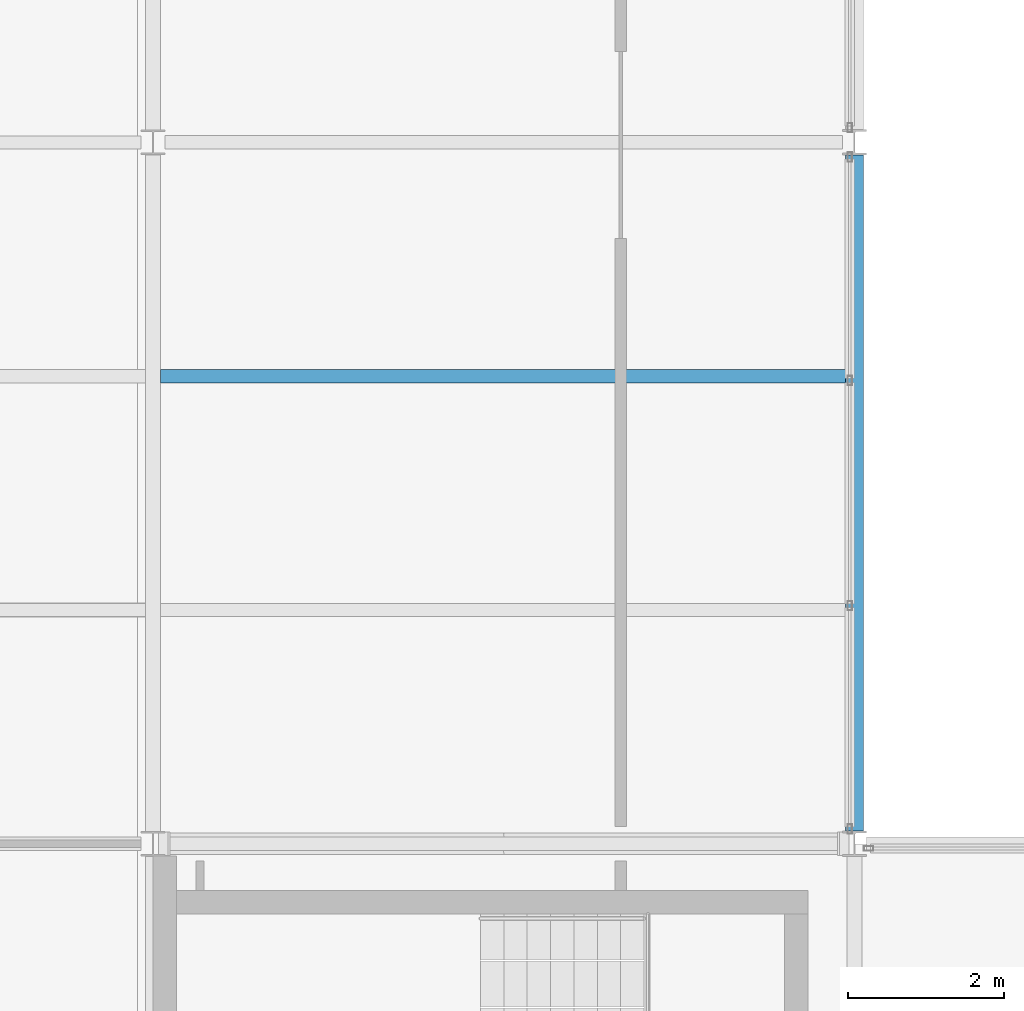
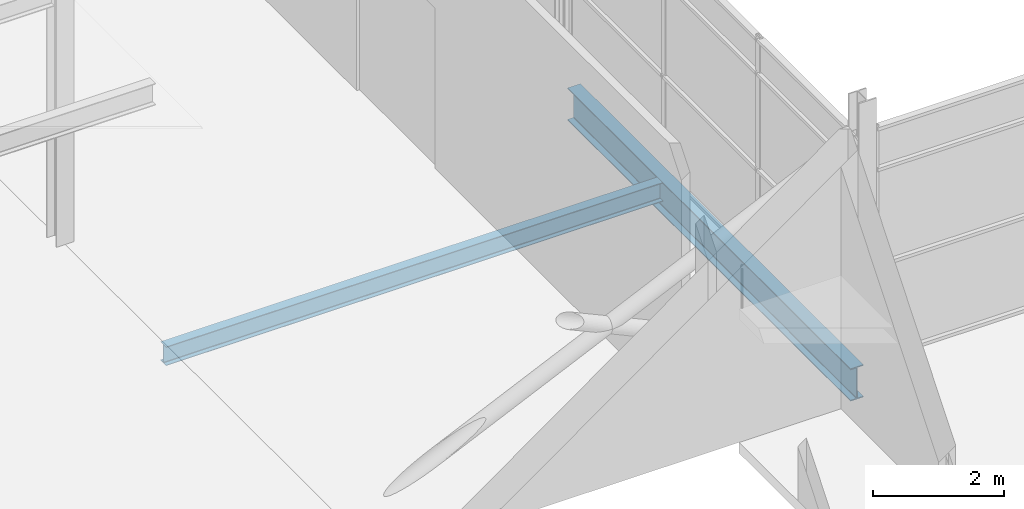
# One storey, part 43 of 115: 2 beams.
"""IFC4 building model written with IfcOpenShell, lengths in metres."""

from ifc_helpers import new_model, si_unit, direction, frame, origin, origin_2d, place, context, subcontext, project, spatial, i_section, extrude, material, material_profile, profile_set, type_object, element, save


model = new_model("IFC4")

# Units and contexts
model_context = context("Model", 3, precision=1e-05, world=origin(), true_north=direction((0.0, 1.0)))
body_context = subcontext(model_context, "Body", "Model", "MODEL_VIEW")
ifc_project = project(units=[si_unit("LENGTHUNIT", "METRE"), si_unit("AREAUNIT", "SQUARE_METRE"), si_unit("VOLUMEUNIT", "CUBIC_METRE"), si_unit("PLANEANGLEUNIT", "RADIAN"), si_unit("MASSUNIT", "GRAM", prefix="KILO")], contexts=[model_context])

# Site, building, storey
site_placement = place(None, origin())
site = spatial("IfcSite", under=ifc_project, at=site_placement, CompositionType="ELEMENT")
building_placement = place(site_placement, origin())
building = spatial("IfcBuilding", under=site, at=building_placement, Name="Shorebreak Coast Museum", CompositionType="ELEMENT")
storey_placement = place(building_placement, frame((0.0, 0.0, 11.0)))
storey = spatial("IfcBuildingStorey", under=building, at=storey_placement, Name="L02", CompositionType="ELEMENT", Elevation=11.0)

# Beams
ifc_material_1 = material(Name="Steel Grade 300", Category="steel")
ifc_material_profile_1 = material_profile(ifc_material_1, i_section(OverallWidth=0.22802734375, OverallDepth=0.60693359375, WebThickness=0.01123046875, FlangeThickness=0.017333984375, FilletRadius=0.013916015625, at=origin_2d()), Name="610UB113")
ifc_profile_set_1 = profile_set([ifc_material_profile_1], Name="Steel Grade 300")
beam_type_1 = type_object("IfcBeamType", Name="Floor girder north-south 610UB113", PredefinedType="BEAM", material=ifc_profile_set_1)
beam_1_placement = place(storey_placement, frame((63.0, 63.16357421875, -0.478515625), z_axis=(0.0, 1.0, 0.0), x_axis=(-1.0, 0.0, 0.0)))
element("IfcBeam", 1, at=beam_1_placement, inside=storey, type_object=beam_type_1, Name="Floor girder north-south L02 8H", PredefinedType="BEAM", context=body_context, shape_type="SweptSolid", body=[
    extrude(i_section(OverallWidth=0.22802734375, OverallDepth=0.60693359375, WebThickness=0.01123046875, FlangeThickness=0.017333984375, FilletRadius=0.013916015625, at=origin_2d()), origin(), (0.0, 0.0, 1.0), 8.6728515625),
])
ifc_material_2 = material(Name="Steel Grade 300", Category="steel")
ifc_material_profile_2 = material_profile(ifc_material_2, i_section(OverallWidth=0.1708984375, OverallDepth=0.35205078125, WebThickness=0.0068359375, FlangeThickness=0.009765625, FilletRadius=0.011474609375, at=origin_2d()), Name="360UB44.7")
ifc_profile_set_2 = profile_set([ifc_material_profile_2], Name="Steel Grade 300")
beam_type_2 = type_object("IfcBeamType", Name="Floor joist 360UB44.7", PredefinedType="JOIST", material=ifc_profile_set_2)
beam_2_placement = place(storey_placement, frame((54.095458984375, 69.0, -0.35107421875), z_axis=(1.0, 0.0, 0.0), x_axis=(0.0, 1.0, 0.0)))
element("IfcBeam", 2, at=beam_2_placement, inside=storey, type_object=beam_type_2, Name="Floor joist L02 bay 7H at 6000 mm", PredefinedType="JOIST", context=body_context, shape_type="SweptSolid", body=[
    extrude(i_section(OverallWidth=0.1708984375, OverallDepth=0.35205078125, WebThickness=0.0068359375, FlangeThickness=0.009765625, FilletRadius=0.011474609375, at=origin_2d()), origin(), (0.0, 0.0, 1.0), 8.79052734375),
])

save(model, "model.ifc")
